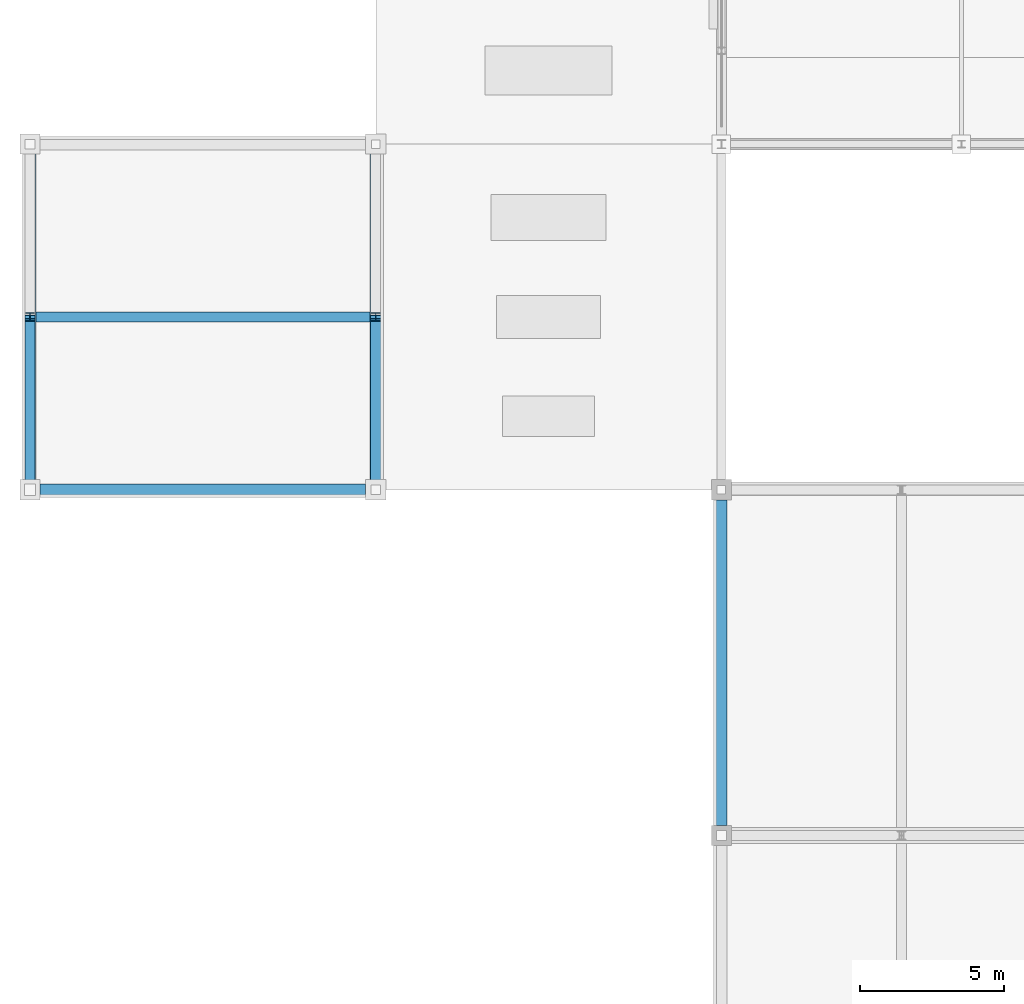
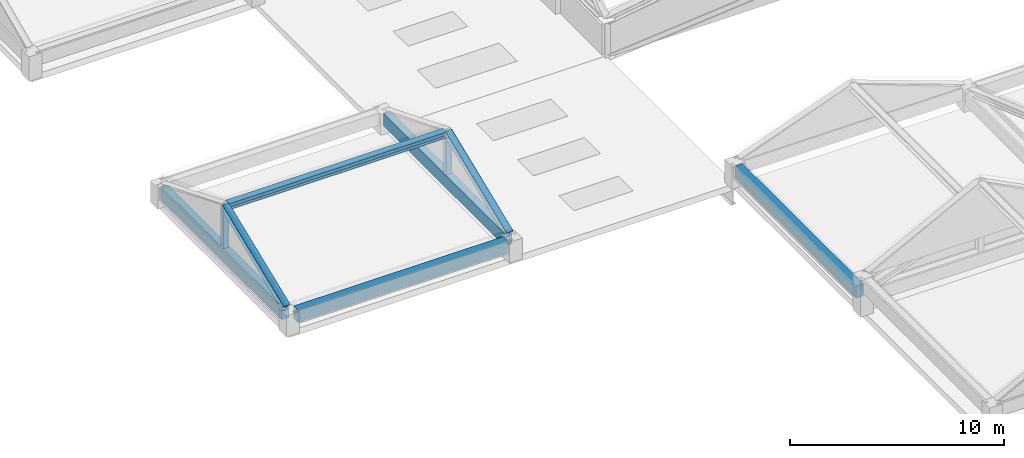
# One storey, part 4 of 117: 5 members, 4 beams.
"""IFC4 building model written with IfcOpenShell, lengths in metres."""

from ifc_helpers import new_model, si_unit, direction, frame, origin, origin_2d, place, context, subcontext, project, spatial, rectangle, i_section, extrude, material, material_profile, profile_set, type_object, element, save


model = new_model("IFC4")

# Units and contexts
model_context = context("Model", 3, precision=1e-05, world=origin(), true_north=direction((0.0, 1.0)))
body_context = subcontext(model_context, "Body", "Model", "MODEL_VIEW")
ifc_project = project(units=[si_unit("LENGTHUNIT", "METRE"), si_unit("AREAUNIT", "SQUARE_METRE"), si_unit("VOLUMEUNIT", "CUBIC_METRE"), si_unit("PLANEANGLEUNIT", "RADIAN"), si_unit("MASSUNIT", "GRAM", prefix="KILO")], contexts=[model_context])

# Site, building, storey
site_placement = place(None, origin())
site = spatial("IfcSite", under=ifc_project, at=site_placement, CompositionType="ELEMENT")
building_placement = place(site_placement, origin())
building = spatial("IfcBuilding", under=site, at=building_placement, Name="Kazenohara Klinker Stadium", CompositionType="ELEMENT")
storey_placement = place(building_placement, frame((0.0, 0.0, 31.199951171875)))
storey = spatial("IfcBuildingStorey", under=building, at=storey_placement, Name="RF", CompositionType="ELEMENT", Elevation=31.199951171875)

# Beams
ifc_material_1 = material(Name="Concrete C40/50", Category="concrete")
ifc_material_profile_1 = material_profile(ifc_material_1, rectangle(XDim=0.39990234375, YDim=0.699951171875, at=origin_2d()), Name="RC-BM-400x700")
ifc_profile_set_1 = profile_set([ifc_material_profile_1], Name="Concrete C40/50")
beam_type = type_object("IfcBeamType", Name="BM-RC04", PredefinedType="BEAM", material=ifc_profile_set_1)
for number, where, z_axis, x_axis, name in (
    (1, (24.0, 24.35009765625, 0.949951171875), (0.0, 1.0, 0.0), (-1.0, 0.0, 0.0), "Turret crown eave girder BG04 RF Y2-2"),
    (2, (0.35009765625, 36.0, 0.85009765625), (1.0, 0.0, 0.0), (0.0, 1.0, 0.0), "Turret crown eave girder BG04 RF X0-3"),
    (3, (0.0, 36.35009765625, 0.85009765625), (0.0, 1.0, 0.0), (-1.0, 0.0, 0.0), "Turret crown eave girder BG04 RF Y0-3"),
    (4, (12.0, 36.35009765625, 0.85009765625), (0.0, 1.0, 0.0), (-1.0, 0.0, 0.0), "Turret crown eave girder BG04 RF Y1-3"),
):
    element("IfcBeam", number, at=place(storey_placement, frame(where, z_axis=z_axis, x_axis=x_axis)), inside=storey, type_object=beam_type, Name=name, PredefinedType="BEAM", context=body_context, shape_type="SweptSolid", body=[
        extrude(rectangle(XDim=0.39990234375, YDim=0.699951171875, at=origin_2d()), origin(), (0.0, 0.0, 1.0), 11.2998046875),
    ])

# Members
ifc_material_2 = material(Name="Steel S355", Category="steel")
ifc_material_profile_2 = material_profile(ifc_material_2, i_section(OverallWidth=0.35009765625, OverallDepth=0.35009765625, WebThickness=0.011962890625, FlangeThickness=0.01904296875, FilletRadius=0.012939453125, at=origin_2d()), Name="H-350x350x12x19")
ifc_profile_set_2 = profile_set([ifc_material_profile_2], Name="Steel S355")
member_type_1 = type_object("IfcMemberType", Name="MEM-CHD02", PredefinedType="CHORD", material=ifc_profile_set_2)
for number, where, z_axis, x_axis, name in (
    (5, (0.0, 36.25, 1.179931640625), (0.0, 0.927356425175, 0.374179182593), (-1.0, 0.0, 0.0), "Crown gable rafter WBST-03 W South"),
    (6, (12.0, 36.25, 1.179931640625), (0.0, 0.927356425175, 0.374179182593), (-1.0, 0.0, 0.0), "Crown gable rafter WBST-03 E South"),
):
    element("IfcMember", number, at=place(storey_placement, frame(where, z_axis=z_axis, x_axis=x_axis)), inside=storey, type_object=member_type_1, Name=name, PredefinedType="CHORD", context=body_context, shape_type="SweptSolid", body=[
        extrude(i_section(OverallWidth=0.35009765625, OverallDepth=0.35009765625, WebThickness=0.011962890625, FlangeThickness=0.01904296875, FilletRadius=0.012939453125, at=origin_2d()), origin(), (0.0, 0.0, 1.0), 6.200439453125),
    ])
member_placement = place(storey_placement, frame((0.14990234375, 42.0, 3.5), z_axis=(1.0, 0.0, 0.0), x_axis=(0.0, 1.0, 0.0)))
element("IfcMember", 7, at=member_placement, inside=storey, type_object=member_type_1, Name="Crown ridge beam WBST-03", PredefinedType="CHORD", context=body_context, shape_type="SweptSolid", body=[
    extrude(i_section(OverallWidth=0.35009765625, OverallDepth=0.35009765625, WebThickness=0.011962890625, FlangeThickness=0.01904296875, FilletRadius=0.012939453125, at=origin_2d()), origin(), (0.0, 0.0, 1.0), 11.7001953125),
])
ifc_material_profile_3 = material_profile(ifc_material_2, i_section(OverallWidth=0.300048828125, OverallDepth=0.300048828125, WebThickness=0.010009765625, FlangeThickness=0.014892578125, FilletRadius=0.012939453125, at=origin_2d()), Name="H-300x300x10x15")
ifc_profile_set_3 = profile_set([ifc_material_profile_3], Name="Steel S355")
member_type_2 = type_object("IfcMemberType", Name="MEM-STR01", PredefinedType="STRUT", material=ifc_profile_set_3)
for number, where, z_axis, x_axis, name in (
    (8, (0.0, 42.0, 1.179931640625), (0.0, 0.0, 1.0), (1.0, 0.0, 0.0), "Crown gable king-post WBST-03 W"),
    (9, (12.0, 42.0, 1.179931640625), (0.0, 0.0, 1.0), (1.0, 0.0, 0.0), "Crown gable king-post WBST-03 E"),
):
    element("IfcMember", number, at=place(storey_placement, frame(where, z_axis=z_axis, x_axis=x_axis)), inside=storey, type_object=member_type_2, Name=name, PredefinedType="STRUT", context=body_context, shape_type="SweptSolid", body=[
        extrude(i_section(OverallWidth=0.300048828125, OverallDepth=0.300048828125, WebThickness=0.010009765625, FlangeThickness=0.014892578125, FilletRadius=0.012939453125, at=origin_2d()), origin(), (0.0, 0.0, 1.0), 2.320068359375),
    ])

save(model, "model.ifc")
